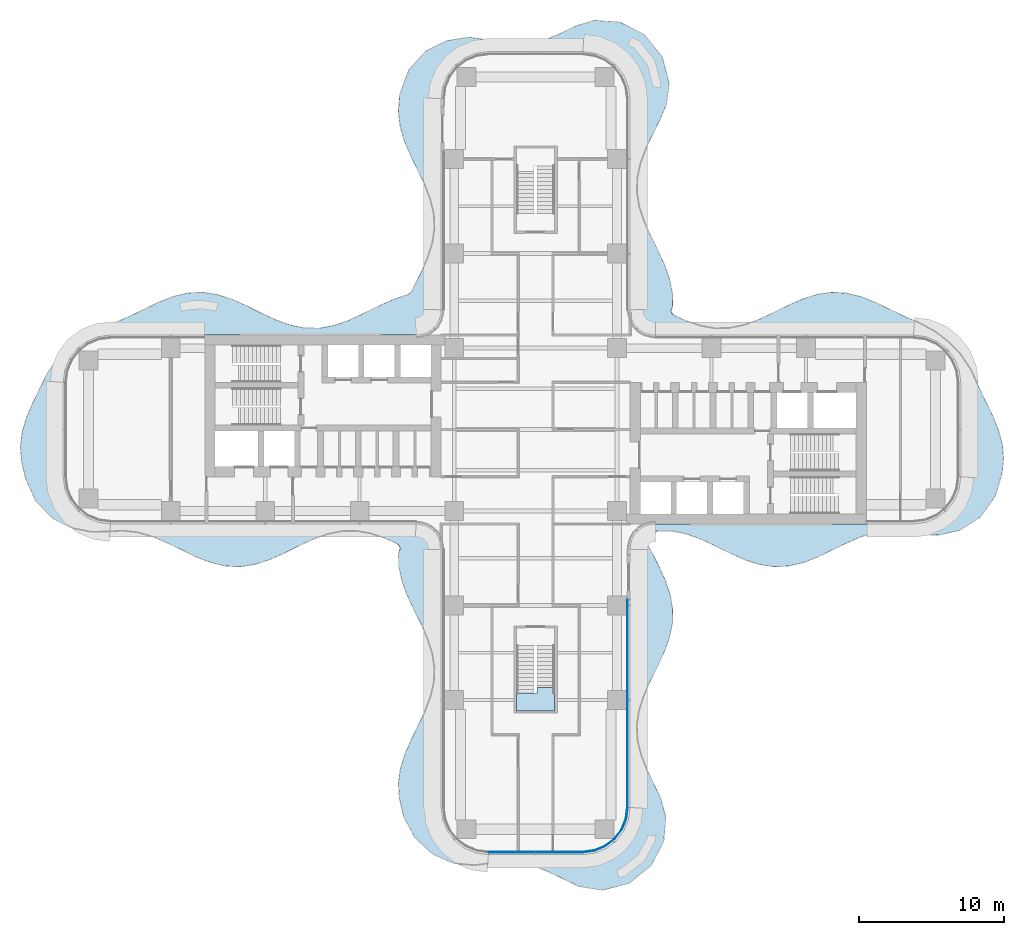
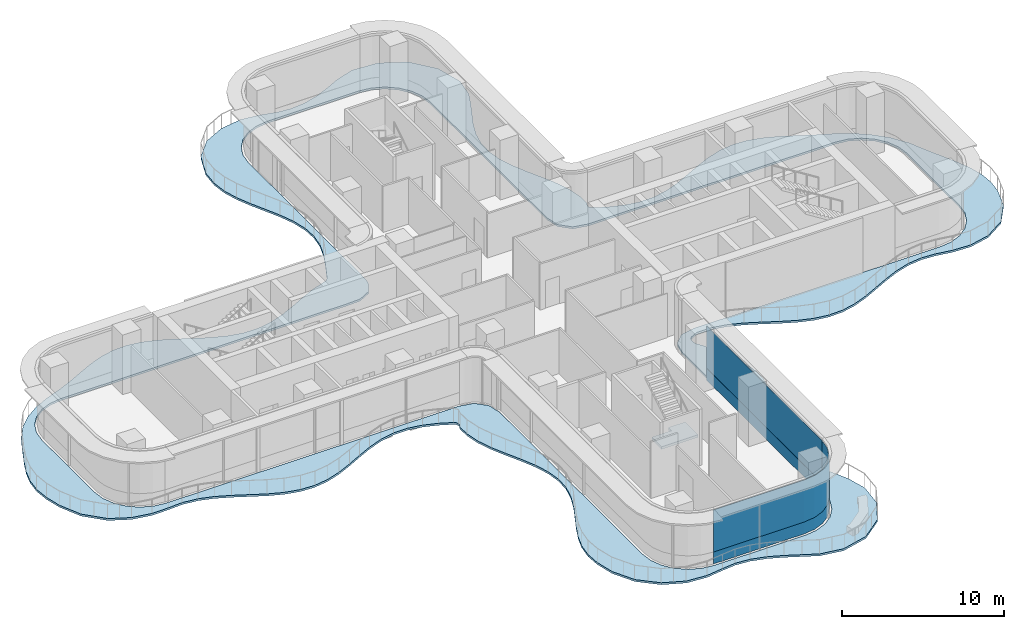
# One storey, part 14 of 23: 4 plates, 2 slabs, 3 elements without a shape of their own.
"""IFC4 building model written with IfcOpenShell, lengths in metres."""

from ifc_helpers import new_model, si_unit, direction, frame, origin, place, context, subcontext, project, spatial, polyline, outline, extrude, source, transform, mapped, material, layer, layer_set, type_object, element, aggregate, save


model = new_model("IFC4")

# Units and contexts
model_context = context("Model", 3, precision=1e-05, world=origin(), true_north=direction((0.0, 1.0)))
body_context = subcontext(model_context, "Body", "Model", "MODEL_VIEW")
ifc_project = project(units=[si_unit("LENGTHUNIT", "METRE"), si_unit("AREAUNIT", "SQUARE_METRE"), si_unit("VOLUMEUNIT", "CUBIC_METRE"), si_unit("PLANEANGLEUNIT", "RADIAN"), si_unit("MASSUNIT", "GRAM", prefix="KILO")], contexts=[model_context])

# Site, building, storey
site_placement = place(None, origin())
site = spatial("IfcSite", under=ifc_project, at=site_placement, CompositionType="ELEMENT")
building_placement = place(site_placement, origin())
building = spatial("IfcBuilding", under=site, at=building_placement, Name="Trellis Farm Tower", CompositionType="ELEMENT")
storey_placement = place(building_placement, frame((0.0, 0.0, 120.0)))
storey = spatial("IfcBuildingStorey", under=building, at=storey_placement, Name="L25", CompositionType="ELEMENT", Elevation=120.0)

# Slab
ifc_material_1 = material(Name="Concrete C40/50", Category="concrete")
ifc_layer_1 = layer(ifc_material_1, 0.14990234375)
ifc_layer_set_1 = layer_set([ifc_layer_1], Name="Balcony slab 150")
slab_type_1 = type_object("IfcSlabType", Name="Balcony slab 150", PredefinedType="FLOOR", material=ifc_layer_set_1)
slab_1_placement = place(storey_placement, frame((0.0, 0.0, -0.14990234375)))
element("IfcSlab", 1, at=slab_1_placement, inside=storey, type_object=slab_type_1, Name="Balcony slab", PredefinedType="FLOOR", context=body_context, shape_type="SweptSolid", body=[
    extrude(outline(polyline([(-9.332763671875, -8.09716796875), (-9.38623046875, -7.978759765625), (-9.407958984375, -7.951171875), (-9.51708984375, -7.865234375), (-9.53271484375, -7.855712890625), (-10.372314453125, -7.4755859375), (-10.37890625, -7.47314453125), (-11.326904296875, -7.149658203125), (-11.338134765625, -7.146728515625), (-12.317138671875, -6.972412109375), (-12.331298828125, -6.97119140625), (-13.316650390625, -6.98583984375), (-13.330810546875, -6.9873046875), (-14.32568359375, -7.19287109375), (-14.33642578125, -7.19580078125), (-15.33837890625, -7.563720703125), (-15.344482421875, -7.566162109375), (-16.3505859375, -8.037841796875), (-16.35205078125, -8.03857421875), (-17.347412109375, -8.531982421875), (-17.353271484375, -8.53466796875), (-18.337158203125, -8.97021484375), (-18.35205078125, -8.97607421875), (-19.326904296875, -9.2890625), (-19.3505859375, -9.29443359375), (-20.320068359375, -9.439208984375), (-20.34912109375, -9.440673828125), (-21.320556640625, -9.395751953125), (-21.34814453125, -9.391845703125), (-22.350830078125, -9.154296875), (-22.370849609375, -9.148193359375), (-23.349365234375, -8.766845703125), (-23.360595703125, -8.761962890625), (-25.337646484375, -7.801513671875), (-25.3408203125, -7.80029296875), (-26.32421875, -7.377685546875), (-26.332275390625, -7.374755859375), (-27.31103515625, -7.080810546875), (-27.32373046875, -7.078369140625), (-28.3701171875, -6.953857421875), (-28.38330078125, -6.95361328125), (-29.3896484375, -7.014404296875), (-29.396484375, -7.0146484375), (-30.569091796875, -7.032958984375), (-30.60009765625, -7.030029296875), (-31.87646484375, -6.78125), (-31.9130859375, -6.76904296875), (-33.17626953125, -6.157470703125), (-33.198974609375, -6.143798828125), (-33.225830078125, -6.12451171875), (-33.24609375, -6.106689453125), (-34.380859375, -4.920654296875), (-34.408935546875, -4.879150390625), (-35.076416015625, -3.41552734375), (-35.085693359375, -3.38818359375), (-35.352783203125, -2.273681640625), (-35.356201171875, -2.252197265625), (-35.44677734375, -1.249267578125), (-35.446533203125, -1.219482421875), (-35.341552734375, -0.25048828125), (-35.336669921875, -0.225341796875), (-35.056640625, 0.748046875), (-35.05078125, 0.764892578125), (-34.63623046875, 1.746826171875), (-34.6328125, 1.75439453125), (-33.60009765625, 3.871826171875), (-33.589599609375, 3.889892578125), (-32.83349609375, 5.01025390625), (-32.8134765625, 5.0341796875), (-31.974609375, 5.843505859375), (-31.953857421875, 5.860107421875), (-30.990966796875, 6.50341796875), (-30.97119140625, 6.5146484375), (-29.9462890625, 6.9951171875), (-29.93408203125, 7.000244140625), (-28.8623046875, 7.390380859375), (-28.858154296875, 7.39208984375), (-27.859619140625, 7.826904296875), (-27.85693359375, 7.827880859375), (-25.851806640625, 8.798583984375), (-25.83935546875, 8.803955078125), (-24.85107421875, 9.177734375), (-24.83056640625, 9.183837890625), (-23.851318359375, 9.40185546875), (-23.823486328125, 9.4052734375), (-22.85205078125, 9.4365234375), (-22.823486328125, 9.434814453125), (-21.881103515625, 9.28369140625), (-21.85791015625, 9.278076171875), (-20.855224609375, 8.947998046875), (-20.8408203125, 8.942138671875), (-19.862548828125, 8.503173828125), (-19.857421875, 8.50048828125), (-18.8623046875, 8.0068359375), (-18.86083984375, 8.006103515625), (-17.87548828125, 7.54736328125), (-17.869384765625, 7.544677734375), (-16.888916015625, 7.189208984375), (-16.87841796875, 7.18603515625), (-15.899658203125, 6.986572265625), (-15.8857421875, 6.985107421875), (-14.901611328125, 6.9716796875), (-14.887451171875, 6.972900390625), (-13.893798828125, 7.152099609375), (-13.882568359375, 7.1552734375), (-12.881103515625, 7.502685546875), (-12.87451171875, 7.50537109375), (-11.868896484375, 7.966552734375), (-11.86669921875, 7.967529296875), (-10.863525390625, 8.4658203125), (-10.85888671875, 8.468017578125), (-9.87890625, 8.913818359375), (-9.86572265625, 8.9189453125), (-8.74267578125, 9.30615234375), (-8.716796875, 9.321533203125), (-8.54150390625, 9.481689453125), (-8.52490234375, 9.50390625), (-7.868896484375, 10.845703125), (-7.867919921875, 10.848388671875), (-7.431884765625, 11.832275390625), (-7.428955078125, 11.839599609375), (-7.113525390625, 12.819091796875), (-7.11083984375, 12.830810546875), (-6.96240234375, 13.810302734375), (-6.96142578125, 13.82470703125), (-7.00390625, 14.811279296875), (-7.005859375, 14.8251953125), (-7.251220703125, 15.8671875), (-7.25439453125, 15.877197265625), (-7.63720703125, 16.858154296875), (-7.639404296875, 16.86376953125), (-8.599609375, 18.84033203125), (-8.6025390625, 18.8466796875), (-9.024658203125, 19.82958984375), (-9.030517578125, 19.845703125), (-9.321533203125, 20.819091796875), (-9.326904296875, 20.844482421875), (-9.44580078125, 21.847900390625), (-9.4462890625, 21.87744140625), (-9.351806640625, 23.0458984375), (-9.343017578125, 23.085693359375), (-8.745361328125, 24.71337890625), (-8.732666015625, 24.73974609375), (-8.71337890625, 24.771240234375), (-8.6962890625, 24.794189453125), (-7.60205078125, 25.99658203125), (-7.581787109375, 26.014892578125), (-7.553955078125, 26.0361328125), (-7.530029296875, 26.051025390625), (-6.154296875, 26.73779296875), (-6.11083984375, 26.751708984375), (-4.62255859375, 26.989013671875), (-4.57861328125, 26.9892578125), (-3.322021484375, 26.81689453125), (-3.305419921875, 26.813720703125), (-2.228271484375, 26.54052734375), (-2.216552734375, 26.53857421875), (-1.29296875, 26.453857421875), (-1.27880859375, 26.4541015625), (-0.289306640625, 26.5517578125), (-0.276123046875, 26.55419921875), (0.761962890625, 26.8486328125), (0.7705078125, 26.851806640625), (1.735107421875, 27.258544921875), (1.73876953125, 27.26025390625), (2.748046875, 27.75244140625), (2.769287109375, 27.760986328125), (3.98779296875, 28.13818359375), (4.014892578125, 28.143798828125), (4.050537109375, 28.14794921875), (4.078125, 28.148681640625), (5.74609375, 28.03369140625), (5.775634765625, 28.02880859375), (5.81298828125, 28.018310546875), (5.841064453125, 28.007568359375), (7.450439453125, 27.18896484375), (7.477294921875, 27.171630859375), (7.509033203125, 27.145751953125), (7.531494140625, 27.123291015625), (8.6826171875, 25.68701171875), (8.699462890625, 25.660400390625), (8.7177734375, 25.6240234375), (8.72900390625, 25.594482421875), (9.1904296875, 23.81982421875), (9.195068359375, 23.791015625), (9.197021484375, 23.75341796875), (9.19580078125, 23.72314453125), (8.998291015625, 22.347900390625), (8.9873046875, 22.309326171875), (8.568603515625, 21.349609375), (8.566162109375, 21.34423828125), (7.6083984375, 19.367919921875), (7.605712890625, 19.36181640625), (7.217529296875, 18.333984375), (7.214599609375, 18.323486328125), (6.99609375, 17.327880859375), (6.994384765625, 17.314208984375), (6.9658203125, 16.328125), (6.966796875, 16.313720703125), (7.12841796875, 15.33447265625), (7.131103515625, 15.322998046875), (7.444091796875, 14.376708984375), (7.44677734375, 14.36962890625), (7.89599609375, 13.364501953125), (7.8974609375, 13.36181640625), (8.393798828125, 12.361328125), (8.3955078125, 12.35791015625), (8.8544921875, 11.37158203125), (8.859619140625, 11.359375), (9.21337890625, 10.382080078125), (9.219482421875, 10.3603515625), (9.418701171875, 9.357421875), (9.421630859375, 9.3291015625), (9.427490234375, 8.497802734375), (9.410888671875, 8.42822265625), (9.341552734375, 8.29345703125), (9.333251953125, 8.263671875), (9.326171875, 8.131591796875), (9.332763671875, 8.09716796875), (9.38623046875, 7.978759765625), (9.407958984375, 7.951171875), (9.51708984375, 7.864990234375), (9.532470703125, 7.855712890625), (10.340087890625, 7.488525390625), (10.34716796875, 7.485595703125), (11.380126953125, 7.135986328125), (11.391357421875, 7.13330078125), (12.3173828125, 6.972412109375), (12.331298828125, 6.97119140625), (13.316650390625, 6.98583984375), (13.330810546875, 6.9873046875), (14.32568359375, 7.19287109375), (14.33642578125, 7.19580078125), (15.33837890625, 7.563720703125), (15.344482421875, 7.566162109375), (16.3505859375, 8.037841796875), (16.35205078125, 8.03857421875), (17.347412109375, 8.531982421875), (17.353271484375, 8.53466796875), (18.3369140625, 8.97021484375), (18.352294921875, 8.97607421875), (19.354736328125, 9.29541015625), (19.37841796875, 9.301025390625), (20.3203125, 9.439208984375), (20.348876953125, 9.440673828125), (21.32080078125, 9.395751953125), (21.34814453125, 9.391845703125), (22.328125, 9.161376953125), (22.347900390625, 9.1552734375), (23.337158203125, 8.772216796875), (23.348388671875, 8.76708984375), (25.33837890625, 7.80126953125), (25.34130859375, 7.7998046875), (26.442626953125, 7.321533203125), (26.45556640625, 7.315185546875), (27.4970703125, 6.73828125), (27.516357421875, 6.725341796875), (28.411865234375, 6.029052734375), (28.427001953125, 6.015625), (29.2158203125, 5.209716796875), (29.2333984375, 5.188232421875), (29.92431640625, 4.158203125), (29.936279296875, 4.13671875), (30.4482421875, 3.007568359375), (30.448974609375, 3.005859375), (31.415771484375, 1.008056640625), (31.41943359375, 1.0), (31.833251953125, -0.001708984375), (31.83935546875, -0.019775390625), (32.106201171875, -1.001708984375), (32.11083984375, -1.02783203125), (32.197021484375, -2.0009765625), (32.19677734375, -2.029541015625), (32.097412109375, -2.997314453125), (32.091796875, -3.024658203125), (31.64111328125, -4.5419921875), (31.6201171875, -4.58544921875), (30.639404296875, -5.982421875), (30.62060546875, -6.00439453125), (30.593994140625, -6.0302734375), (30.5703125, -6.048583984375), (29.18994140625, -6.924560546875), (29.1435546875, -6.944091796875), (27.7421875, -7.26904296875), (27.701416015625, -7.272705078125), (26.465576171875, -7.21630859375), (26.44580078125, -7.214111328125), (25.37158203125, -7.021240234375), (25.36328125, -7.02001953125), (24.389892578125, -6.955810546875), (24.37548828125, -6.956298828125), (23.384521484375, -7.08154296875), (23.3720703125, -7.084228515625), (22.336181640625, -7.401611328125), (22.327880859375, -7.404541015625), (21.344482421875, -7.833984375), (21.341796875, -7.835205078125), (19.364501953125, -8.793212890625), (19.352294921875, -8.79833984375), (18.37451171875, -9.170654296875), (18.354248046875, -9.1767578125), (17.38330078125, -9.397705078125), (17.355712890625, -9.401123046875), (16.38623046875, -9.4384765625), (16.357177734375, -9.436767578125), (15.381103515625, -9.28369140625), (15.357666015625, -9.278076171875), (14.3720703125, -8.954345703125), (14.357421875, -8.94873046875), (13.36279296875, -8.503173828125), (13.357421875, -8.50048828125), (12.3623046875, -8.0068359375), (12.36083984375, -8.006103515625), (11.375732421875, -7.54736328125), (11.369384765625, -7.544677734375), (10.3388671875, -7.175048828125), (10.328125, -7.172119140625), (9.3994140625, -6.986572265625), (9.385986328125, -6.985107421875), (8.457763671875, -6.97216796875), (8.440673828125, -6.973876953125), (8.305908203125, -7.00341796875), (8.2900390625, -7.0087890625), (7.864501953125, -7.208740234375), (7.8486328125, -7.21875), (7.7373046875, -7.310302734375), (7.7158203125, -7.339599609375), (7.66162109375, -7.47314453125), (7.65673828125, -7.490966796875), (7.628662109375, -7.695068359375), (7.6298828125, -7.721435546875), (7.677734375, -7.934814453125), (7.68798828125, -7.958984375), (7.968994140625, -8.389892578125), (7.976806640625, -8.403564453125), (8.4658203125, -9.360595703125), (8.46875, -9.36669921875), (8.919921875, -10.360595703125), (8.92529296875, -10.37451171875), (9.259521484375, -11.360595703125), (9.265380859375, -11.3837890625), (9.431884765625, -12.3603515625), (9.433837890625, -12.38916015625), (9.410400390625, -13.35888671875), (9.406982421875, -13.38671875), (9.198486328125, -14.357421875), (9.1923828125, -14.378173828125), (8.8291015625, -15.356201171875), (8.82421875, -15.36767578125), (8.361572265625, -16.3515625), (8.3603515625, -16.354248046875), (7.86279296875, -17.359130859375), (7.861083984375, -17.3623046875), (7.418701171875, -18.3671875), (7.415771484375, -18.374755859375), (7.1005859375, -19.374755859375), (7.097900390625, -19.38671875), (6.958984375, -20.37841796875), (6.958251953125, -20.39306640625), (7.012939453125, -21.375244140625), (7.014892578125, -21.388671875), (7.251220703125, -22.367431640625), (7.25439453125, -22.376953125), (7.63720703125, -23.358154296875), (7.639404296875, -23.36376953125), (8.58984375, -25.320068359375), (8.599609375, -25.345703125), (8.953369140625, -26.631103515625), (8.9580078125, -26.65771484375), (8.961181640625, -26.69189453125), (8.961181640625, -26.718505859375), (8.8173828125, -28.333251953125), (8.811767578125, -28.363037109375), (8.800537109375, -28.400390625), (8.7890625, -28.42822265625), (7.95361328125, -29.98876953125), (7.9365234375, -30.01416015625), (7.910888671875, -30.044677734375), (7.888916015625, -30.066162109375), (6.44482421875, -31.20654296875), (6.41796875, -31.223388671875), (6.381103515625, -31.241455078125), (6.351318359375, -31.25244140625), (4.60205078125, -31.687744140625), (4.572021484375, -31.69189453125), (4.533447265625, -31.693603515625), (4.50244140625, -31.69189453125), (3.019287109375, -31.44580078125), (2.978759765625, -31.432861328125), (1.0107421875, -30.485595703125), (1.007080078125, -30.48388671875), (0.024658203125, -30.076416015625), (0.015625, -30.0732421875), (-1.0234375, -29.790771484375), (-1.036865234375, -29.788330078125), (-2.025634765625, -29.704345703125), (-2.039794921875, -29.70458984375), (-3.0087890625, -29.806396484375), (-3.011474609375, -29.806884765625), (-4.174560546875, -29.970703125), (-4.208251953125, -29.971435546875), (-5.57080078125, -29.856201171875), (-5.616455078125, -29.8447265625), (-7.01220703125, -29.256591796875), (-7.05419921875, -29.22998046875), (-8.25927734375, -28.147216796875), (-8.291015625, -28.106689453125), (-9.06103515625, -26.68212890625), (-9.0751953125, -26.6455078125), (-9.376708984375, -25.37451171875), (-9.380615234375, -25.34912109375), (-9.443603515625, -24.34619140625), (-9.442626953125, -24.316650390625), (-9.31103515625, -23.347412109375), (-9.3056640625, -23.3232421875), (-9.003662109375, -22.348876953125), (-8.997802734375, -22.333251953125), (-8.568603515625, -21.349609375), (-8.566162109375, -21.34423828125), (-7.6083984375, -19.367919921875), (-7.605712890625, -19.36181640625), (-7.231689453125, -18.381103515625), (-7.228759765625, -18.37109375), (-7.00439453125, -17.392333984375), (-7.002685546875, -17.37890625), (-6.9619140625, -16.39599609375), (-6.962646484375, -16.381591796875), (-7.114990234375, -15.38916015625), (-7.117919921875, -15.377197265625), (-7.444091796875, -14.376953125), (-7.447021484375, -14.36962890625), (-7.89599609375, -13.364501953125), (-7.8974609375, -13.36181640625), (-8.393798828125, -12.361328125), (-8.3955078125, -12.35791015625), (-8.8544921875, -11.37158203125), (-8.859619140625, -11.359375), (-9.21337890625, -10.382080078125), (-9.219482421875, -10.3603515625), (-9.418701171875, -9.357421875), (-9.421630859375, -9.3291015625), (-9.427490234375, -8.497802734375), (-9.410888671875, -8.42822265625), (-9.341552734375, -8.29345703125), (-9.333251953125, -8.263671875), (-9.326171875, -8.131591796875), (-9.332763671875, -8.09716796875)]), holes=[polyline([(-7.34326171875, -6.75390625), (-6.75390625, -7.34326171875), (-6.727783203125, -7.3779296875), (-6.7021484375, -7.425537109375), (-6.687255859375, -7.46630859375), (-6.5068359375, -8.327880859375), (-6.503662109375, -8.358642578125), (-6.50048828125, -22.5869140625), (-6.50048828125, -26.0), (-6.389892578125, -26.84130859375), (-6.065185546875, -27.625244140625), (-5.548583984375, -28.298583984375), (-4.875244140625, -28.815185546875), (-4.09130859375, -29.139892578125), (-3.25, -29.25048828125), (3.25, -29.25048828125), (4.09130859375, -29.139892578125), (4.875244140625, -28.815185546875), (5.548583984375, -28.298583984375), (6.065185546875, -27.625244140625), (6.389892578125, -26.84130859375), (6.50048828125, -26.0), (6.50048828125, -8.38818359375), (6.503173828125, -8.364013671875), (6.687255859375, -7.466552734375), (6.702392578125, -7.42529296875), (6.727783203125, -7.3779296875), (6.75390625, -7.34326171875), (7.34326171875, -6.75390625), (7.3779296875, -6.727783203125), (7.42529296875, -6.702392578125), (7.466552734375, -6.687255859375), (8.364013671875, -6.503173828125), (8.38818359375, -6.50048828125), (26.0, -6.50048828125), (26.84130859375, -6.389892578125), (27.625244140625, -6.065185546875), (28.298583984375, -5.548583984375), (28.815185546875, -4.875244140625), (29.139892578125, -4.09130859375), (29.25048828125, -3.25), (29.25048828125, 3.25), (29.139892578125, 4.09130859375), (28.815185546875, 4.875244140625), (28.298583984375, 5.548583984375), (27.625244140625, 6.065185546875), (26.84130859375, 6.389892578125), (26.0, 6.50048828125), (8.38818359375, 6.50048828125), (8.364013671875, 6.503173828125), (7.466552734375, 6.687255859375), (7.42529296875, 6.702392578125), (7.3779296875, 6.727783203125), (7.34326171875, 6.75390625), (6.75390625, 7.34326171875), (6.727783203125, 7.3779296875), (6.702392578125, 7.42529296875), (6.687255859375, 7.466552734375), (6.503173828125, 8.364013671875), (6.50048828125, 8.38818359375), (6.50048828125, 22.75), (6.389892578125, 23.59130859375), (6.065185546875, 24.375244140625), (5.548583984375, 25.048583984375), (4.875244140625, 25.565185546875), (4.09130859375, 25.889892578125), (3.25, 26.00048828125), (-3.25, 26.00048828125), (-4.09130859375, 25.889892578125), (-4.875244140625, 25.565185546875), (-5.548583984375, 25.048583984375), (-6.065185546875, 24.375244140625), (-6.389892578125, 23.59130859375), (-6.50048828125, 22.75), (-6.50048828125, 8.84130859375), (-6.540283203125, 7.914794921875), (-6.54541015625, 7.882080078125), (-6.556396484375, 7.84130859375), (-6.568359375, 7.810302734375), (-6.963623046875, 7.059814453125), (-6.990478515625, 7.023193359375), (-7.030517578125, 6.9833984375), (-7.067138671875, 6.956787109375), (-7.8203125, 6.5654296875), (-7.85107421875, 6.553466796875), (-7.891845703125, 6.542724609375), (-7.92431640625, 6.537841796875), (-8.8505859375, 6.50048828125), (-29.25, 6.50048828125), (-30.09130859375, 6.389892578125), (-30.875244140625, 6.065185546875), (-31.548583984375, 5.548583984375), (-32.065185546875, 4.875244140625), (-32.389892578125, 4.09130859375), (-32.50048828125, 3.25), (-32.50048828125, -3.25), (-32.389892578125, -4.09130859375), (-32.065185546875, -4.875244140625), (-31.548583984375, -5.548583984375), (-30.875244140625, -6.065185546875), (-30.09130859375, -6.389892578125), (-29.25, -6.50048828125), (-8.38818359375, -6.50048828125), (-8.364013671875, -6.503173828125), (-7.466552734375, -6.687255859375), (-7.42529296875, -6.702392578125), (-7.3779296875, -6.727783203125), (-7.34326171875, -6.75390625)])]), origin(), (0.0, 0.0, 1.0), 0.14990234375),
])

# Stair, slab
ifc_material_2 = material(Name="Concrete C50/60", Category="concrete")
stair_type = type_object("IfcStairType", Name="CORE EXIT STAIR 26 RISERS 173 MM", PredefinedType="HALF_TURN_STAIR", material=ifc_material_2)
placement_1 = place(storey_placement, origin())
stair = element("IfcStair", 2, at=placement_1, inside=storey, type_object=stair_type, Name="Exit stair S", PredefinedType="HALF_TURN_STAIR")
ifc_layer_2 = layer(ifc_material_2, 0.18994140625)
ifc_layer_set_2 = layer_set([ifc_layer_2], Name="CORE STAIR LANDING 190 CONCRETE C50/60")
slab_type_2 = type_object("IfcSlabType", Name="CORE STAIR LANDING 190 CONCRETE C50/60", PredefinedType="LANDING", material=ifc_layer_set_2)
shared_shape_1 = source(origin(), body_context, "Body", "SweptSolid", [
    extrude(outline(polyline([(1.300048828125, -19.35009765625), (-1.300048828125, -19.35009765625), (-1.300048828125, -18.14990234375), (-1.300048828125, -18.139892578125), (-0.10009765625, -18.139892578125), (-0.10009765625, -18.14990234375), (0.10009765625, -18.14990234375), (0.10009765625, -17.753173828125), (1.300048828125, -17.753173828125), (1.300048828125, -18.14990234375), (1.300048828125, -19.35009765625)])), origin(), (0.0, 0.0, 1.0), 0.18994140625),
])
slab_2_placement = place(storey_placement, frame((0.0, 0.0, 2.06005859375)))
slab_2 = element("IfcSlab", 3, at=slab_2_placement, type_object=slab_type_2, Name="STS landing 1", PredefinedType="LANDING", context=body_context, shape_type="MappedRepresentation", body=[
    mapped(shared_shape_1, transform((0.0, 0.0, 0.0))),
])
aggregate(stair, [slab_2])

# Curtain wall, plates
ifc_material_3 = material(Name="Aluminium and glass curtain wall", Category="aluminium")
ifc_layer_3 = layer(ifc_material_3, 0.18994140625)
ifc_layer_set_3 = layer_set([ifc_layer_3], Name="RIBBON CURTAIN WALL CW1")
curtain_wall_type = type_object("IfcCurtainWallType", Name="RIBBON CURTAIN WALL CW1", PredefinedType="NOTDEFINED", material=ifc_layer_set_3)
curtain_wall_1 = element("IfcCurtainWall", 4, at=placement_1, inside=storey, type_object=curtain_wall_type, Name="CW1 003", PredefinedType="NOTDEFINED")
ifc_material_4 = material(Name="Clear insulated glass", Category="glass")
ifc_layer_4 = layer(ifc_material_4, 0.0400390625)
ifc_layer_set_4 = layer_set([ifc_layer_4], Name="CW1 GLASS PANEL 40")
plate_type_1 = type_object("IfcPlateType", Name="CW1 GLASS PANEL 40", PredefinedType="CURTAIN_PANEL", material=ifc_layer_set_4)
shared_shape_2 = source(origin(), body_context, "Body", "SweptSolid", [
    extrude(outline(polyline([(-3.240234375, -29.10009765625), (3.240234375, -29.10009765625), (4.052001953125, -28.9931640625), (4.79931640625, -28.68359375), (5.441162109375, -28.191162109375), (5.93359375, -27.54931640625), (6.2431640625, -26.802001953125), (6.35009765625, -25.990234375), (6.31005859375, -25.987548828125), (6.2041015625, -26.79150390625), (5.898681640625, -27.529296875), (5.41259765625, -28.16259765625), (4.779296875, -28.648681640625), (4.04150390625, -28.9541015625), (3.237548828125, -29.06005859375), (-3.237548828125, -29.06005859375), (-3.240234375, -29.10009765625)])), origin(), (0.0, 0.0, 1.0), 3.170166015625),
])
placement_2 = place(storey_placement, frame((0.0, 0.0, 0.89990234375)))
plate_1 = element("IfcPlate", 5, at=placement_2, type_object=plate_type_1, Name="PL1 003", PredefinedType="CURTAIN_PANEL", context=body_context, shape_type="MappedRepresentation", body=[
    mapped(shared_shape_2, transform((0.0, 0.0, 0.0))),
])
ifc_material_5 = material(Name="Sandstone faced insulated panel", Category="masonry")
ifc_layer_5 = layer(ifc_material_5, 0.050048828125)
ifc_layer_set_5 = layer_set([ifc_layer_5], Name="CW1 STONE SPANDREL PANEL 50")
plate_type_2 = type_object("IfcPlateType", Name="CW1 STONE SPANDREL PANEL 50", PredefinedType="CURTAIN_PANEL", material=ifc_layer_set_5)
shared_shape_3 = source(origin(), body_context, "Body", "SweptSolid", [
    extrude(outline(polyline([(-3.240234375, -29.10009765625), (3.240234375, -29.10009765625), (4.052001953125, -28.9931640625), (4.79931640625, -28.68359375), (5.441162109375, -28.191162109375), (5.93359375, -27.54931640625), (6.2431640625, -26.802001953125), (6.35009765625, -25.990234375), (6.300048828125, -25.98681640625), (6.1943359375, -26.7890625), (5.889892578125, -27.524169921875), (5.405517578125, -28.155517578125), (4.774169921875, -28.639892578125), (4.0390625, -28.9443359375), (3.23681640625, -29.050048828125), (-3.23681640625, -29.050048828125), (-3.240234375, -29.10009765625)])), origin(), (0.0, 0.0, 1.0), 0.89990234375),
])
plate_2 = element("IfcPlate", 6, at=placement_1, type_object=plate_type_2, Name="PS1 003", PredefinedType="CURTAIN_PANEL", context=body_context, shape_type="MappedRepresentation", body=[
    mapped(shared_shape_3, transform((0.0, 0.0, 0.0))),
])
aggregate(curtain_wall_1, [plate_1, plate_2])

curtain_wall_2 = element("IfcCurtainWall", 7, at=placement_1, inside=storey, type_object=curtain_wall_type, Name="CW1 004", PredefinedType="NOTDEFINED")
shared_shape_4 = source(origin(), body_context, "Body", "SweptSolid", [
    extrude(outline(polyline([(6.35009765625, -25.990234375), (6.35009765625, -11.7255859375), (6.31005859375, -11.7255859375), (6.31005859375, -25.987548828125), (6.35009765625, -25.990234375)])), origin(), (0.0, 0.0, 1.0), 3.170166015625),
])
plate_3 = element("IfcPlate", 8, at=placement_2, type_object=plate_type_1, Name="PL1 004", PredefinedType="CURTAIN_PANEL", context=body_context, shape_type="MappedRepresentation", body=[
    mapped(shared_shape_4, transform((0.0, 0.0, 0.0))),
])
shared_shape_5 = source(origin(), body_context, "Body", "SweptSolid", [
    extrude(outline(polyline([(6.35009765625, -25.990234375), (6.35009765625, -11.7255859375), (6.300048828125, -11.7255859375), (6.300048828125, -25.98681640625), (6.35009765625, -25.990234375)])), origin(), (0.0, 0.0, 1.0), 0.89990234375),
])
plate_4 = element("IfcPlate", 9, at=placement_1, type_object=plate_type_2, Name="PS1 004", PredefinedType="CURTAIN_PANEL", context=body_context, shape_type="MappedRepresentation", body=[
    mapped(shared_shape_5, transform((0.0, 0.0, 0.0))),
])
aggregate(curtain_wall_2, [plate_3, plate_4])

save(model, "model.ifc")
